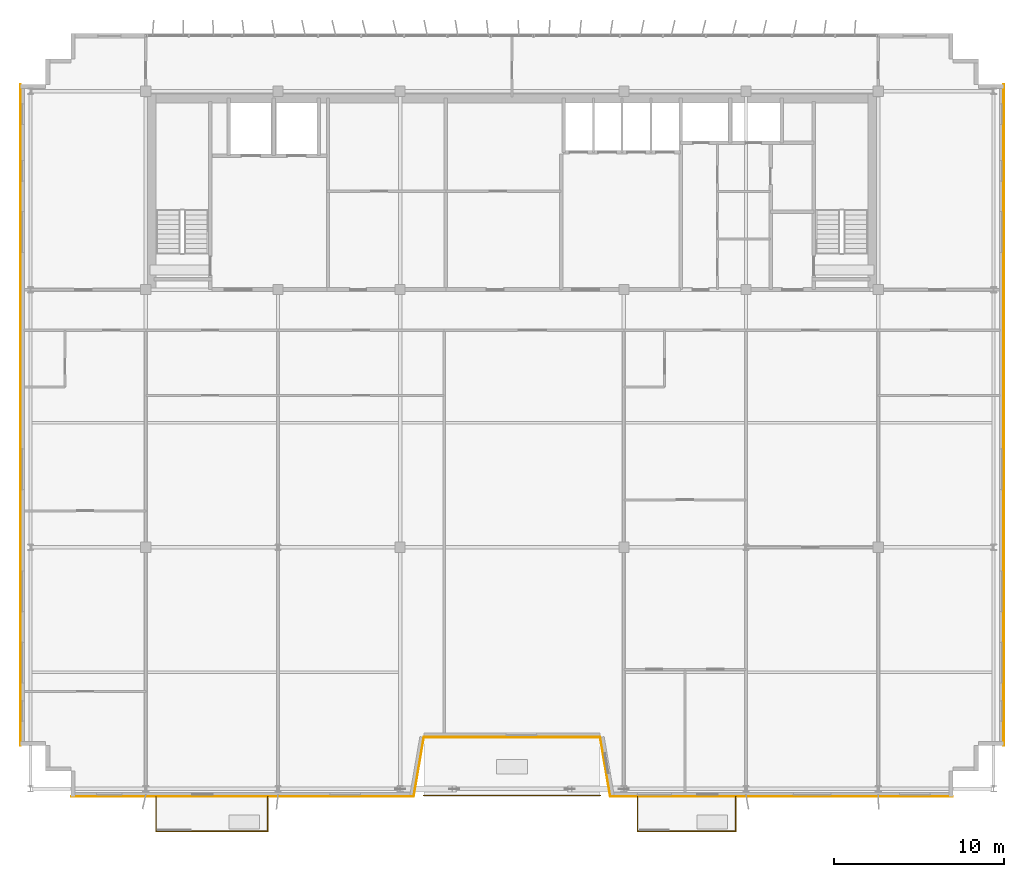
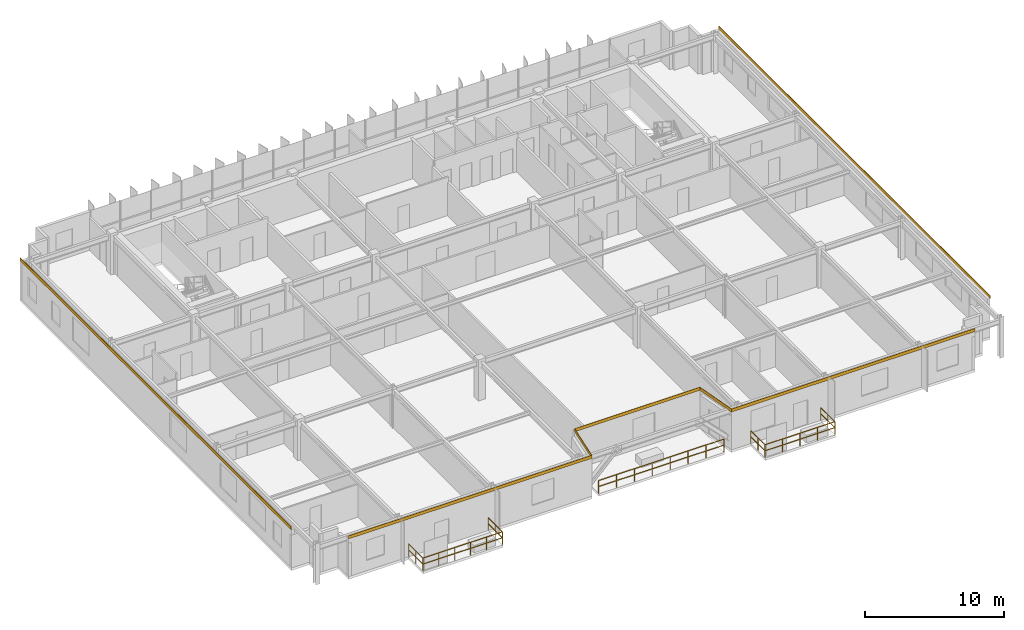
# One storey, part 21 of 22: 7 coverings, 7 railings.
"""IFC4 building model written with IfcOpenShell, lengths in metres."""

from ifc_helpers import new_model, si_unit, direction, frame, origin, origin_2d, place, context, subcontext, project, spatial, rectangle, extrude, source, transform, mapped, material, layer, layer_set, type_object, element, save


model = new_model("IFC4")

# Units and contexts
model_context = context("Model", 3, precision=1e-05, world=origin(), true_north=direction((0.0, 1.0)))
body_context = subcontext(model_context, "Body", "Model", "MODEL_VIEW")
ifc_project = project(units=[si_unit("LENGTHUNIT", "METRE"), si_unit("AREAUNIT", "SQUARE_METRE"), si_unit("VOLUMEUNIT", "CUBIC_METRE"), si_unit("PLANEANGLEUNIT", "RADIAN"), si_unit("MASSUNIT", "GRAM", prefix="KILO")], contexts=[model_context])

# Site, building, storey
site_placement = place(None, origin())
site = spatial("IfcSite", under=ifc_project, at=site_placement, CompositionType="ELEMENT")
building_placement = place(site_placement, origin())
building = spatial("IfcBuilding", under=site, at=building_placement, Name="Trelvane Seafront Commons", CompositionType="ELEMENT")
storey_placement = place(building_placement, frame((0.0, 0.0, 288.300048828125)))
storey = spatial("IfcBuildingStorey", under=building, at=storey_placement, Name="L75", CompositionType="ELEMENT", Elevation=288.300048828125)

# Railings
ifc_material_1 = material(Name="Stainless steel balustrade", Category="steel")
railing_type = type_object("IfcRailingType", Name="ARCH-RAIL-BAL1150", PredefinedType="BALUSTRADE", material=ifc_material_1)
railing_1_placement = place(storey_placement, frame((32.0, 3.56005859375, 0.0)))
element("IfcRailing", 1, at=railing_1_placement, inside=storey, type_object=railing_type, Name="RL-L75-TR0-01", PredefinedType="BALUSTRADE", context=body_context, shape_type="SweptSolid", body=[
    extrude(rectangle(XDim=0.048095703125, YDim=0.048095703125, at=origin_2d()), frame((0.0, 0.0, 1.1259765625), z_axis=(1.0, 0.0, 0.0), x_axis=(0.0, 1.0, 0.0)), (0.0, 0.0, 1.0), 10.39990234375),
    extrude(rectangle(XDim=0.048095703125, YDim=0.048095703125, at=origin_2d()), frame((0.0, 0.0, 0.597900390625), z_axis=(1.0, 0.0, 0.0), x_axis=(0.0, 1.0, 0.0)), (0.0, 0.0, 1.0), 10.39990234375),
    extrude(rectangle(XDim=0.0419921875, YDim=0.0419921875, at=origin_2d()), origin(), (0.0, 0.0, 1.0), 1.1259765625),
    extrude(rectangle(XDim=0.0419921875, YDim=0.0419921875, at=origin_2d()), frame((1.485595703125, 0.0, 0.0)), (0.0, 0.0, 1.0), 1.1259765625),
    extrude(rectangle(XDim=0.0419921875, YDim=0.0419921875, at=origin_2d()), frame((2.971435546875, 0.0, 0.0)), (0.0, 0.0, 1.0), 1.1259765625),
    extrude(rectangle(XDim=0.0419921875, YDim=0.0419921875, at=origin_2d()), frame((4.45703125, 0.0, 0.0)), (0.0, 0.0, 1.0), 1.1259765625),
    extrude(rectangle(XDim=0.0419921875, YDim=0.0419921875, at=origin_2d()), frame((5.94287109375, 0.0, 0.0)), (0.0, 0.0, 1.0), 1.1259765625),
    extrude(rectangle(XDim=0.0419921875, YDim=0.0419921875, at=origin_2d()), frame((7.428466796875, 0.0, 0.0)), (0.0, 0.0, 1.0), 1.1259765625),
    extrude(rectangle(XDim=0.0419921875, YDim=0.0419921875, at=origin_2d()), frame((8.914306640625, 0.0, 0.0)), (0.0, 0.0, 1.0), 1.1259765625),
    extrude(rectangle(XDim=0.0419921875, YDim=0.0419921875, at=origin_2d()), frame((10.39990234375, 0.0, 0.0)), (0.0, 0.0, 1.0), 1.1259765625),
])
railing_2_placement = place(storey_placement, frame((16.199951171875, 3.5, 0.0)))
element("IfcRailing", 2, at=railing_2_placement, inside=storey, type_object=railing_type, Name="RL-L75-BAL0-01", PredefinedType="BALUSTRADE", context=body_context, shape_type="SweptSolid", body=[
    extrude(rectangle(XDim=0.048095703125, YDim=0.048095703125, at=origin_2d()), frame((0.0, 0.0, 1.1259765625), z_axis=(0.0, -1.0, 0.0), x_axis=(1.0, 0.0, 0.0)), (0.0, 0.0, 1.0), 2.0400390625),
    extrude(rectangle(XDim=0.048095703125, YDim=0.048095703125, at=origin_2d()), frame((0.0, 0.0, 0.597900390625), z_axis=(0.0, -1.0, 0.0), x_axis=(1.0, 0.0, 0.0)), (0.0, 0.0, 1.0), 2.0400390625),
    extrude(rectangle(XDim=0.0419921875, YDim=0.0419921875, at=origin_2d()), origin(), (0.0, 0.0, 1.0), 1.1259765625),
    extrude(rectangle(XDim=0.0419921875, YDim=0.0419921875, at=origin_2d()), frame((0.0, -1.02001953125, 0.0)), (0.0, 0.0, 1.0), 1.1259765625),
    extrude(rectangle(XDim=0.0419921875, YDim=0.0419921875, at=origin_2d()), frame((0.0, -2.0400390625, 0.0)), (0.0, 0.0, 1.0), 1.1259765625),
])
railing_3_placement = place(storey_placement, frame((16.199951171875, 1.4599609375, 0.0)))
element("IfcRailing", 3, at=railing_3_placement, inside=storey, type_object=railing_type, Name="RL-L75-BAL0-02", PredefinedType="BALUSTRADE", context=body_context, shape_type="SweptSolid", body=[
    extrude(rectangle(XDim=0.048095703125, YDim=0.048095703125, at=origin_2d()), frame((0.0, 0.0, 1.1259765625), z_axis=(1.0, 0.0, 0.0), x_axis=(0.0, 1.0, 0.0)), (0.0, 0.0, 1.0), 6.60009765625),
    extrude(rectangle(XDim=0.048095703125, YDim=0.048095703125, at=origin_2d()), frame((0.0, 0.0, 0.597900390625), z_axis=(1.0, 0.0, 0.0), x_axis=(0.0, 1.0, 0.0)), (0.0, 0.0, 1.0), 6.60009765625),
    extrude(rectangle(XDim=0.0419921875, YDim=0.0419921875, at=origin_2d()), origin(), (0.0, 0.0, 1.0), 1.1259765625),
    extrude(rectangle(XDim=0.0419921875, YDim=0.0419921875, at=origin_2d()), frame((1.320068359375, 0.0, 0.0)), (0.0, 0.0, 1.0), 1.1259765625),
    extrude(rectangle(XDim=0.0419921875, YDim=0.0419921875, at=origin_2d()), frame((2.64013671875, 0.0, 0.0)), (0.0, 0.0, 1.0), 1.1259765625),
    extrude(rectangle(XDim=0.0419921875, YDim=0.0419921875, at=origin_2d()), frame((3.9599609375, 0.0, 0.0)), (0.0, 0.0, 1.0), 1.1259765625),
    extrude(rectangle(XDim=0.0419921875, YDim=0.0419921875, at=origin_2d()), frame((5.280029296875, 0.0, 0.0)), (0.0, 0.0, 1.0), 1.1259765625),
    extrude(rectangle(XDim=0.0419921875, YDim=0.0419921875, at=origin_2d()), frame((6.60009765625, 0.0, 0.0)), (0.0, 0.0, 1.0), 1.1259765625),
])
railing_4_placement = place(storey_placement, frame((22.800048828125, 1.4599609375, 0.0)))
element("IfcRailing", 4, at=railing_4_placement, inside=storey, type_object=railing_type, Name="RL-L75-BAL0-03", PredefinedType="BALUSTRADE", context=body_context, shape_type="SweptSolid", body=[
    extrude(rectangle(XDim=0.048095703125, YDim=0.048095703125, at=origin_2d()), frame((0.0, 0.0, 1.1259765625), z_axis=(0.0, 1.0, 0.0), x_axis=(-1.0, 0.0, 0.0)), (0.0, 0.0, 1.0), 2.0400390625),
    extrude(rectangle(XDim=0.048095703125, YDim=0.048095703125, at=origin_2d()), frame((0.0, 0.0, 0.597900390625), z_axis=(0.0, 1.0, 0.0), x_axis=(-1.0, 0.0, 0.0)), (0.0, 0.0, 1.0), 2.0400390625),
    extrude(rectangle(XDim=0.0419921875, YDim=0.0419921875, at=origin_2d()), origin(), (0.0, 0.0, 1.0), 1.1259765625),
    extrude(rectangle(XDim=0.0419921875, YDim=0.0419921875, at=origin_2d()), frame((0.0, 1.02001953125, 0.0)), (0.0, 0.0, 1.0), 1.1259765625),
    extrude(rectangle(XDim=0.0419921875, YDim=0.0419921875, at=origin_2d()), frame((0.0, 2.0400390625, 0.0)), (0.0, 0.0, 1.0), 1.1259765625),
])
railing_5_placement = place(storey_placement, frame((44.60009765625, 3.5, 0.0)))
element("IfcRailing", 5, at=railing_5_placement, inside=storey, type_object=railing_type, Name="RL-L75-BAL1-01", PredefinedType="BALUSTRADE", context=body_context, shape_type="SweptSolid", body=[
    extrude(rectangle(XDim=0.048095703125, YDim=0.048095703125, at=origin_2d()), frame((0.0, 0.0, 1.1259765625), z_axis=(0.0, -1.0, 0.0), x_axis=(1.0, 0.0, 0.0)), (0.0, 0.0, 1.0), 2.0400390625),
    extrude(rectangle(XDim=0.048095703125, YDim=0.048095703125, at=origin_2d()), frame((0.0, 0.0, 0.597900390625), z_axis=(0.0, -1.0, 0.0), x_axis=(1.0, 0.0, 0.0)), (0.0, 0.0, 1.0), 2.0400390625),
    extrude(rectangle(XDim=0.0419921875, YDim=0.0419921875, at=origin_2d()), origin(), (0.0, 0.0, 1.0), 1.1259765625),
    extrude(rectangle(XDim=0.0419921875, YDim=0.0419921875, at=origin_2d()), frame((0.0, -1.02001953125, 0.0)), (0.0, 0.0, 1.0), 1.1259765625),
    extrude(rectangle(XDim=0.0419921875, YDim=0.0419921875, at=origin_2d()), frame((0.0, -2.0400390625, 0.0)), (0.0, 0.0, 1.0), 1.1259765625),
])
railing_6_placement = place(storey_placement, frame((44.60009765625, 1.4599609375, 0.0)))
element("IfcRailing", 6, at=railing_6_placement, inside=storey, type_object=railing_type, Name="RL-L75-BAL1-02", PredefinedType="BALUSTRADE", context=body_context, shape_type="SweptSolid", body=[
    extrude(rectangle(XDim=0.048095703125, YDim=0.048095703125, at=origin_2d()), frame((0.0, 0.0, 1.1259765625), z_axis=(1.0, 0.0, 0.0), x_axis=(0.0, 1.0, 0.0)), (0.0, 0.0, 1.0), 5.7998046875),
    extrude(rectangle(XDim=0.048095703125, YDim=0.048095703125, at=origin_2d()), frame((0.0, 0.0, 0.597900390625), z_axis=(1.0, 0.0, 0.0), x_axis=(0.0, 1.0, 0.0)), (0.0, 0.0, 1.0), 5.7998046875),
    extrude(rectangle(XDim=0.0419921875, YDim=0.0419921875, at=origin_2d()), origin(), (0.0, 0.0, 1.0), 1.1259765625),
    extrude(rectangle(XDim=0.0419921875, YDim=0.0419921875, at=origin_2d()), frame((1.449951171875, 0.0, 0.0)), (0.0, 0.0, 1.0), 1.1259765625),
    extrude(rectangle(XDim=0.0419921875, YDim=0.0419921875, at=origin_2d()), frame((2.89990234375, 0.0, 0.0)), (0.0, 0.0, 1.0), 1.1259765625),
    extrude(rectangle(XDim=0.0419921875, YDim=0.0419921875, at=origin_2d()), frame((4.349853515625, 0.0, 0.0)), (0.0, 0.0, 1.0), 1.1259765625),
    extrude(rectangle(XDim=0.0419921875, YDim=0.0419921875, at=origin_2d()), frame((5.7998046875, 0.0, 0.0)), (0.0, 0.0, 1.0), 1.1259765625),
])
railing_7_placement = place(storey_placement, frame((50.39990234375, 1.4599609375, 0.0)))
element("IfcRailing", 7, at=railing_7_placement, inside=storey, type_object=railing_type, Name="RL-L75-BAL1-03", PredefinedType="BALUSTRADE", context=body_context, shape_type="SweptSolid", body=[
    extrude(rectangle(XDim=0.048095703125, YDim=0.048095703125, at=origin_2d()), frame((0.0, 0.0, 1.1259765625), z_axis=(0.0, 1.0, 0.0), x_axis=(-1.0, 0.0, 0.0)), (0.0, 0.0, 1.0), 2.0400390625),
    extrude(rectangle(XDim=0.048095703125, YDim=0.048095703125, at=origin_2d()), frame((0.0, 0.0, 0.597900390625), z_axis=(0.0, 1.0, 0.0), x_axis=(-1.0, 0.0, 0.0)), (0.0, 0.0, 1.0), 2.0400390625),
    extrude(rectangle(XDim=0.0419921875, YDim=0.0419921875, at=origin_2d()), origin(), (0.0, 0.0, 1.0), 1.1259765625),
    extrude(rectangle(XDim=0.0419921875, YDim=0.0419921875, at=origin_2d()), frame((0.0, 1.02001953125, 0.0)), (0.0, 0.0, 1.0), 1.1259765625),
    extrude(rectangle(XDim=0.0419921875, YDim=0.0419921875, at=origin_2d()), frame((0.0, 2.0400390625, 0.0)), (0.0, 0.0, 1.0), 1.1259765625),
])

# Coverings
ifc_material_2 = material(Name="Anodised pale-silver aluminium", Category="aluminium")
ifc_layer = layer(ifc_material_2, 0.034912109375, Name="ARCH-COV-CLAD35")
ifc_layer_set = layer_set([ifc_layer], Name="Anodised pale-silver aluminium")
covering_type = type_object("IfcCoveringType", Name="ARCH-COV-CLAD35", PredefinedType="CLADDING", material=ifc_layer_set)
shared_shape_1 = source(origin(), body_context, "Body", "SweptSolid", [
    extrude(rectangle(XDim=39.0, YDim=0.034912109375, at=origin_2d()), origin(), (0.0, 0.0, 1.0), 0.27001953125),
])
for number, where, z_axis, x_axis, name in (
    (8, (8.199951171875, 26.0, 3.329833984375), (0.0, 0.0, 1.0), (0.0, 1.0, 0.0), "CLD-L75-00296"),
    (9, (66.199951171875, 26.0, 3.329833984375), (0.0, 0.0, 1.0), (0.0, -1.0, 0.0), "CLD-L75-00297"),
):
    element("IfcCovering", number, at=place(storey_placement, frame(where, z_axis=z_axis, x_axis=x_axis)), inside=storey, type_object=covering_type, Name=name, PredefinedType="CLADDING", context=body_context, shape_type="MappedRepresentation", body=[
        mapped(shared_shape_1, transform((0.0, 0.0, 0.0), x_axis=(1.0, 0.0, 0.0), y_axis=(0.0, 1.0, 0.0), z_axis=(0.0, 0.0, 1.0), scale=1.0)),
    ])
shared_shape_2 = source(origin(), body_context, "Body", "SweptSolid", [
    extrude(rectangle(XDim=20.199951171875, YDim=0.034912109375, at=origin_2d()), origin(), (0.0, 0.0, 1.0), 0.27001953125),
])
for number, where, z_axis, x_axis, name in (
    (10, (53.10009765625, 3.5, 3.329833984375), (0.0, 0.0, 1.0), (-1.0, 0.0, 0.0), "CLD-L75-00298"),
    (11, (21.300048828125, 3.5, 3.329833984375), (0.0, 0.0, 1.0), (-1.0, 0.0, 0.0), "CLD-L75-00302"),
):
    element("IfcCovering", number, at=place(storey_placement, frame(where, z_axis=z_axis, x_axis=x_axis)), inside=storey, type_object=covering_type, Name=name, PredefinedType="CLADDING", context=body_context, shape_type="MappedRepresentation", body=[
        mapped(shared_shape_2, transform((0.0, 0.0, 0.0), x_axis=(1.0, 0.0, 0.0), y_axis=(0.0, 1.0, 0.0), z_axis=(0.0, 0.0, 1.0), scale=1.0)),
    ])
shared_shape_3 = source(origin(), body_context, "Body", "SweptSolid", [
    extrude(rectangle(XDim=3.551025390625, YDim=0.034912109375, at=origin_2d()), origin(), (0.0, 0.0, 1.0), 0.27001953125),
])
for number, where, z_axis, x_axis, name in (
    (12, (42.699951171875, 5.25, 3.329833984375), (0.0, 0.0, 1.0), (-0.168964184077, 0.985622191562, 0.0), "CLD-L75-00299"),
    (13, (31.699951171875, 5.25, 3.329833984375), (0.0, 0.0, 1.0), (-0.168964184077, -0.985622191562, 0.0), "CLD-L75-00301"),
):
    element("IfcCovering", number, at=place(storey_placement, frame(where, z_axis=z_axis, x_axis=x_axis)), inside=storey, type_object=covering_type, Name=name, PredefinedType="CLADDING", context=body_context, shape_type="MappedRepresentation", body=[
        mapped(shared_shape_3, transform((0.0, 0.0, 0.0), x_axis=(1.0, 0.0, 0.0), y_axis=(0.0, 1.0, 0.0), z_axis=(0.0, 0.0, 1.0), scale=1.0)),
    ])
shared_shape_4 = source(origin(), body_context, "Body", "SweptSolid", [
    extrude(rectangle(XDim=10.39990234375, YDim=0.034912109375, at=origin_2d()), origin(), (0.0, 0.0, 1.0), 0.27001953125),
])
covering_placement = place(storey_placement, frame((37.199951171875, 7.0, 3.329833984375), z_axis=(0.0, 0.0, 1.0), x_axis=(-1.0, 0.0, 0.0)))
element("IfcCovering", 14, at=covering_placement, inside=storey, type_object=covering_type, Name="CLD-L75-00300", PredefinedType="CLADDING", context=body_context, shape_type="MappedRepresentation", body=[
    mapped(shared_shape_4, transform((0.0, 0.0, 0.0), x_axis=(1.0, 0.0, 0.0), y_axis=(0.0, 1.0, 0.0), z_axis=(0.0, 0.0, 1.0), scale=1.0)),
])

save(model, "model.ifc")
